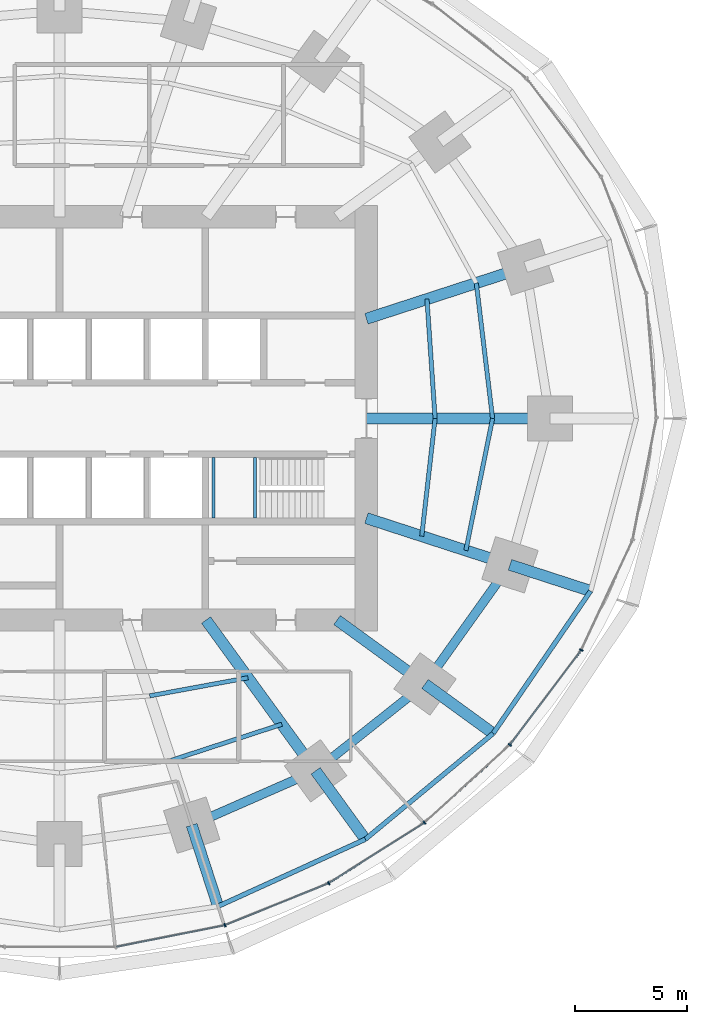
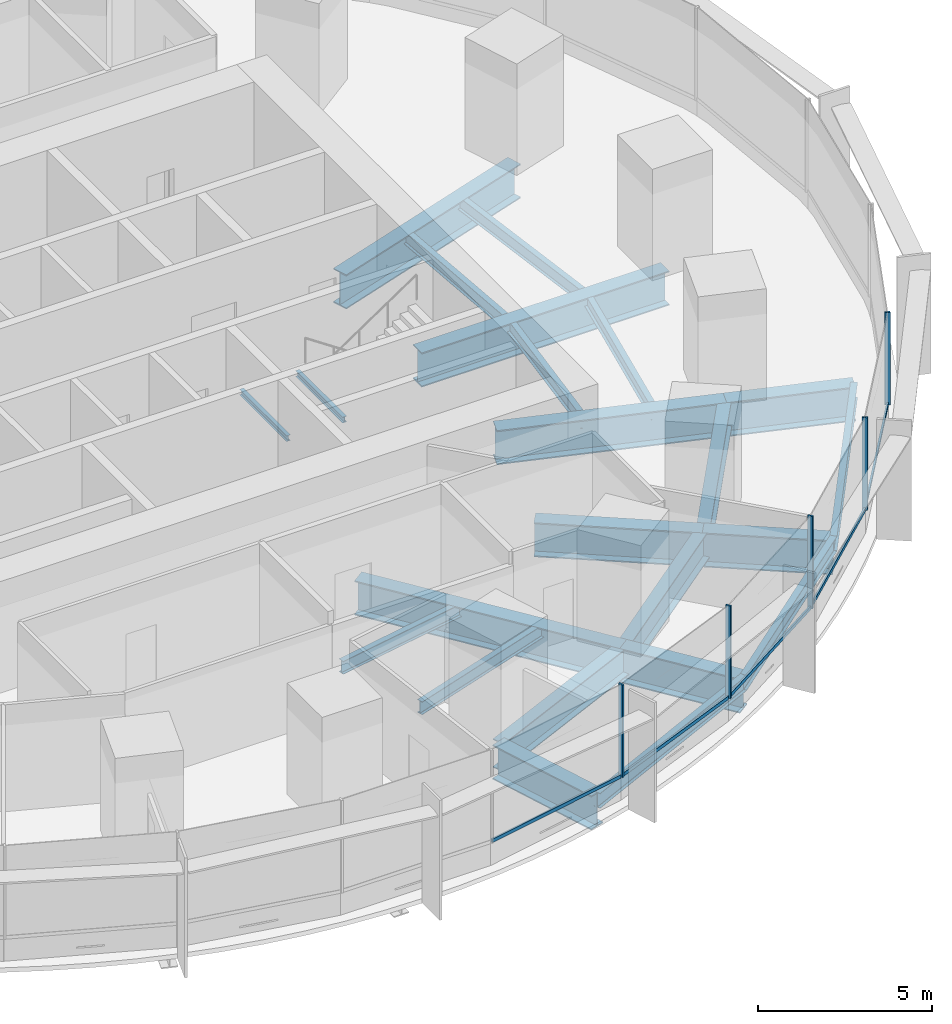
# One storey, part 5 of 15: 23 beams, 10 members, 2 elements without a shape of their own.
"""IFC4 building model written with IfcOpenShell, lengths in metres."""

import ifcopenshell
import ifcopenshell.guid

model = None  # the IFC model being written
_history = None  # IfcOwnerHistory: only IFC2X3 demands one
_inside = {}  # id of a spatial element -> (the spatial element, [elements in it])
_under = {}  # id of a project, library or spatial element -> (it, [spatial elements below it])
_declared = {}  # id of a project -> (the project, [libraries it declares])
_typed = {}  # id of a type object -> (the type object, [elements of that type])
_made_of = {}  # id of a material, layer set ... -> (it, [elements and type objects made of it])


def new_model(schema):
    """Start an empty IFC model of exactly this schema.

    Asked for "IFC4X3", IfcOpenShell would pick the latest addendum, in which some entities
    have other attributes; the version numbers below select the first issue.
    IFC2X3 requires an IfcOwnerHistory on every rooted entity: one is made here for all.
    """
    global model, _history
    if schema == "IFC4X3":
        model = ifcopenshell.file(schema_version=(4, 3, 0, 0))
    else:
        model = ifcopenshell.file(schema=schema)
    _inside.clear()
    _under.clear()
    _declared.clear()
    _typed.clear()
    _made_of.clear()
    _history = None
    if model.schema == "IFC2X3":
        org = make("IfcOrganization", Name="unknown")
        user = make(
            "IfcPersonAndOrganization",
            ThePerson=make("IfcPerson", FamilyName="unknown"),
            TheOrganization=org,
        )
        app = make(
            "IfcApplication",
            ApplicationDeveloper=org,
            Version="unknown",
            ApplicationFullName="unknown",
            ApplicationIdentifier="unknown",
        )
        _history = make(
            "IfcOwnerHistory",
            OwningUser=user,
            OwningApplication=app,
            ChangeAction="ADDED",
            CreationDate=0,
        )
    return model


def make(cls, **values):
    """One entity of the class cls with the attributes given. An attribute that is None is left unset."""
    return model.create_entity(
        cls, **{name: value for name, value in values.items() if value is not None}
    )


def rooted(cls, **values):
    """An entity with a GlobalId (a new one), such as an element, a storey or a relation."""
    return make(cls, GlobalId=ifcopenshell.guid.new(), OwnerHistory=_history, **values)


def si_unit(unit_type, name, prefix=None):
    """IfcSIUnit, for example si_unit("LENGTHUNIT", "METRE", prefix="MILLI")."""
    return make("IfcSIUnit", UnitType=unit_type, Prefix=prefix, Name=name)


def assignment(units):
    """IfcUnitAssignment: the units of a project."""
    return None if units is None else make("IfcUnitAssignment", Units=units)


def point(xyz):
    """IfcCartesianPoint."""
    return None if xyz is None else make("IfcCartesianPoint", Coordinates=xyz)


def direction(xyz):
    """IfcDirection."""
    return None if xyz is None else make("IfcDirection", DirectionRatios=xyz)


def frame(location, z_axis=None, x_axis=None):
    """IfcAxis2Placement3D, a coordinate frame: its origin and axes. An axis left out is left unset."""
    return make(
        "IfcAxis2Placement3D",
        Location=point(location),
        Axis=direction(z_axis),
        RefDirection=direction(x_axis),
    )


def frame_2d(location, x_axis=None):
    """IfcAxis2Placement2D, a coordinate frame in the plane: its origin and x axis."""
    return make(
        "IfcAxis2Placement2D", Location=point(location), RefDirection=direction(x_axis)
    )


def origin():
    """The frame at (0, 0, 0) with its axes left unset."""
    return frame((0.0, 0.0, 0.0))


def origin_2d():
    """The frame at (0, 0) in the plane with its x axis left unset."""
    return frame_2d((0.0, 0.0))


def place(relative_to, where):
    """IfcLocalPlacement: puts the frame where relative to a parent placement (None: the world)."""
    return make(
        "IfcLocalPlacement", PlacementRelTo=relative_to, RelativePlacement=where
    )


def context(
    kind, dimensions, precision=None, world=None, true_north=None, identifier=None
):
    """IfcGeometricRepresentationContext, for example the 3D "Model" context."""
    return make(
        "IfcGeometricRepresentationContext",
        ContextIdentifier=identifier,
        ContextType=kind,
        CoordinateSpaceDimension=dimensions,
        Precision=precision,
        WorldCoordinateSystem=world,
        TrueNorth=true_north,
    )


def subcontext(parent, identifier, kind, view, scale=None):
    """IfcGeometricRepresentationSubContext, for example "Body" below "Model"."""
    return make(
        "IfcGeometricRepresentationSubContext",
        ContextIdentifier=identifier,
        ContextType=kind,
        ParentContext=parent,
        TargetScale=scale,
        TargetView=view,
    )


def project(units=None, contexts=None):
    """IfcProject with its units and contexts."""
    return rooted(
        "IfcProject",
        Name="project",
        RepresentationContexts=contexts,
        UnitsInContext=assignment(units),
    )


def spatial(cls, under=None, at=None, **own):
    """A site, building, storey or space (cls), placed at a placement, below another one or the project."""
    s = rooted(cls, ObjectPlacement=at, **own)
    if under is not None:
        _under.setdefault(under.id(), (under, []))[1].append(s)
    return s


def profile(cls, at=None, kind="AREA", **sizes):
    """A parametric profile (cls). Its sizes go by their IFC names, for example OverallWidth=200.0."""
    return make(cls, ProfileType=kind, Position=at, **sizes)


def rectangle(**sizes):
    """IfcRectangleProfileDef."""
    return profile("IfcRectangleProfileDef", **sizes)


def i_section(**sizes):
    """IfcIShapeProfileDef."""
    return profile("IfcIShapeProfileDef", **sizes)


def extrude(swept, where, along, depth):
    """IfcExtrudedAreaSolid: the profile swept, set in the frame where, extruded along a direction by depth."""
    return make(
        "IfcExtrudedAreaSolid",
        SweptArea=swept,
        Position=where,
        ExtrudedDirection=direction(along),
        Depth=depth,
    )


def shape(context_of_items, identifier, shape_type, items):
    """IfcShapeRepresentation: the items that make up one representation, for example the "Body"."""
    return make(
        "IfcShapeRepresentation",
        ContextOfItems=context_of_items,
        RepresentationIdentifier=identifier,
        RepresentationType=shape_type,
        Items=items,
    )


def material(Name=None, Category=None):
    """IfcMaterial."""
    return make("IfcMaterial", Name=Name, Category=Category)


def material_profile(
    of_material, cross_section, Name=None, Category=None, Priority=None
):
    """IfcMaterialProfile: a cross section and its material."""
    return make(
        "IfcMaterialProfile",
        Name=Name,
        Material=of_material,
        Profile=cross_section,
        Priority=Priority,
        Category=Category,
    )


def profile_set(profiles, Name=None, composite=None):
    """IfcMaterialProfileSet."""
    return make(
        "IfcMaterialProfileSet",
        Name=Name,
        MaterialProfiles=profiles,
        CompositeProfile=composite,
    )


def made_of(thing, what):
    """Note that an element or type object is made of a material, layer set ...; save() writes the relation."""
    if what is not None:
        _made_of.setdefault(what.id(), (what, []))[1].append(thing)
    return thing


def type_object(cls, material=None, **own):
    """A type object (cls), such as IfcWallType, which elements share."""
    return made_of(rooted(cls, **own), material)


def element(
    cls,
    number,
    at=None,
    inside=None,
    cuts=None,
    type_object=None,
    material=None,
    context=None,
    identifier="Body",
    shape_type=None,
    held_by="IfcProductDefinitionShape",
    body=None,
    shapes=None,
    **own,
):
    """One element of the class cls, such as IfcWall. Its Tag is "e" and its number.

    at: its placement. inside: the storey or other place that contains it. cuts: it is an
    opening in that element (IfcRelVoidsElement). A single representation is given by context,
    identifier, shape_type and body (its items); several are given by shapes. held_by: the class
    of the entity that holds the representations. save() writes the other relations.
    """
    e = rooted(cls, Tag="e%d" % number, ObjectPlacement=at, **own)
    if body is not None:
        shapes = [shape(context, identifier, shape_type, body)]
    if shapes is not None:
        e.Representation = make(held_by, Representations=shapes)
    if inside is not None:
        _inside.setdefault(inside.id(), (inside, []))[1].append(e)
    if cuts is not None:
        rooted(
            "IfcRelVoidsElement", RelatingBuildingElement=cuts, RelatedOpeningElement=e
        )
    if type_object is not None:
        _typed.setdefault(type_object.id(), (type_object, []))[1].append(e)
    return made_of(e, material)


def aggregate(whole, parts):
    """IfcRelAggregates: a whole, such as a stair, and the parts it consists of."""
    return rooted("IfcRelAggregates", RelatingObject=whole, RelatedObjects=parts)


def save(model, path):
    """Write the relations noted so far, then the file.

    IfcRelAggregates (storeys below a building ...), IfcRelContainedInSpatialStructure (elements
    in a storey), IfcRelDefinesByType, IfcRelAssociatesMaterial and IfcRelDeclares: one each for
    every whole, place, type object, material and project.
    """
    for whole, parts in _under.values():
        aggregate(whole, parts)
    for where, things in _inside.values():
        rooted(
            "IfcRelContainedInSpatialStructure",
            RelatedElements=things,
            RelatingStructure=where,
        )
    for kind, things in _typed.values():
        rooted("IfcRelDefinesByType", RelatedObjects=things, RelatingType=kind)
    for what, things in _made_of.values():
        rooted("IfcRelAssociatesMaterial", RelatedObjects=things, RelatingMaterial=what)
    for by, libraries in _declared.values():
        rooted("IfcRelDeclares", RelatingContext=by, RelatedDefinitions=libraries)
    model.write(path)


model = new_model("IFC4")

# Units and contexts
model_context = context("Model", 3, precision=1e-05, world=origin(), true_north=direction((0.0, 1.0)))
body_context = subcontext(model_context, "Body", "Model", "MODEL_VIEW")
ifc_project = project(units=[si_unit("LENGTHUNIT", "METRE"), si_unit("AREAUNIT", "SQUARE_METRE"), si_unit("VOLUMEUNIT", "CUBIC_METRE"), si_unit("PLANEANGLEUNIT", "RADIAN"), si_unit("MASSUNIT", "GRAM", prefix="KILO")], contexts=[model_context])

# Site, building, storey
site_placement = place(None, origin())
site = spatial("IfcSite", under=ifc_project, at=site_placement, CompositionType="ELEMENT")
building_placement = place(site_placement, origin())
building = spatial("IfcBuilding", under=site, at=building_placement, Name="Marramba Exchange Tower", CompositionType="ELEMENT")
storey_placement = place(building_placement, frame((0.0, 0.0, 61.60009765625)))
storey = spatial("IfcBuildingStorey", under=building, at=storey_placement, Name="L14", CompositionType="ELEMENT", Elevation=61.60009765625)

# Beams
ifc_material_1 = material(Name="Steel AS/NZS 3679.2 grade 300", Category="steel")
ifc_material_profile_1 = material_profile(ifc_material_1, i_section(OverallWidth=0.5, OverallDepth=1.199951171875, WebThickness=0.01611328125, FlangeThickness=0.0400390625, at=origin_2d()), Name="1200WB455")
ifc_profile_set_1 = profile_set([ifc_material_profile_1], Name="Steel AS/NZS 3679.2 grade 300")
beam_type_1 = type_object("IfcBeamType", Name="Cantilever girder 1200WB455", PredefinedType="BEAM", material=ifc_profile_set_1)
beam_1_placement = place(storey_placement, frame((5.899658203125, -18.156982421875, -0.760009765625), z_axis=(0.309009272901, -0.951059025119, 0.0), x_axis=(0.951059025119, 0.309009272901, 0.0)))
element("IfcBeam", 1, at=beam_1_placement, inside=storey, type_object=beam_type_1, Name="Cantilever girder L14 TC17", PredefinedType="BEAM", context=body_context, shape_type="SweptSolid", body=[
    extrude(i_section(OverallWidth=0.5, OverallDepth=1.199951171875, WebThickness=0.01611328125, FlangeThickness=0.0400390625, at=origin_2d()), origin(), (0.0, 0.0, 1.0), 3.809814453125),
])
beam_2_placement = place(storey_placement, frame((11.430419921875, -15.732666015625, -0.760009765625), z_axis=(0.587787232741, -0.809015555491, 0.0), x_axis=(0.809015555491, 0.587787232741, 0.0)))
element("IfcBeam", 2, at=beam_2_placement, inside=storey, type_object=beam_type_1, Name="Cantilever girder L14 TC18", PredefinedType="BEAM", context=body_context, shape_type="SweptSolid", body=[
    extrude(i_section(OverallWidth=0.5, OverallDepth=1.199951171875, WebThickness=0.01611328125, FlangeThickness=0.0400390625, at=origin_2d()), origin(), (0.0, 0.0, 1.0), 3.7763671875),
])
beam_3_placement = place(storey_placement, frame((16.3154296875, -11.853759765625, -0.760009765625), z_axis=(0.809008346081, -0.587797155463, 0.0), x_axis=(0.587797155463, 0.809008346081, 0.0)))
element("IfcBeam", 3, at=beam_3_placement, inside=storey, type_object=beam_type_1, Name="Cantilever girder L14 TC19", PredefinedType="BEAM", context=body_context, shape_type="SweptSolid", body=[
    extrude(i_section(OverallWidth=0.5, OverallDepth=1.199951171875, WebThickness=0.01611328125, FlangeThickness=0.0400390625, at=origin_2d()), origin(), (0.0, 0.0, 1.0), 3.76025390625),
])
beam_4_placement = place(storey_placement, frame((20.109375, -6.533935546875, -0.760009765625), z_axis=(0.951048759501, -0.309040866314, 0.0), x_axis=(0.309040866314, 0.951048759501, 0.0)))
element("IfcBeam", 4, at=beam_4_placement, inside=storey, type_object=beam_type_1, Name="Cantilever girder L14 TC20", PredefinedType="BEAM", context=body_context, shape_type="SweptSolid", body=[
    extrude(i_section(OverallWidth=0.5, OverallDepth=1.199951171875, WebThickness=0.01611328125, FlangeThickness=0.0400390625, at=origin_2d()), origin(), (0.0, 0.0, 1.0), 3.78564453125),
])
ifc_material_2 = material(Name="Steel AS/NZS 3679.1 grade 300", Category="steel")
ifc_material_profile_2 = material_profile(ifc_material_2, i_section(OverallWidth=0.18994140625, OverallDepth=0.4541015625, WebThickness=0.008544921875, FlangeThickness=0.0126953125, FilletRadius=0.011474609375, at=origin_2d()), Name="460UB67.1")
ifc_profile_set_2 = profile_set([ifc_material_profile_2], Name="Steel AS/NZS 3679.1 grade 300")
beam_type_2 = type_object("IfcBeamType", Name="Floor joist 460UB67.1", PredefinedType="JOIST", material=ifc_profile_set_2)
beam_5_placement = place(storey_placement, frame((16.7666015625, 0.0, -0.38720703125), z_axis=(-0.068096259546, 0.99767875563, 0.0), x_axis=(-0.99767875563, -0.068096259546, 0.0)))
element("IfcBeam", 5, at=beam_5_placement, inside=storey, type_object=beam_type_2, Name="Joist L14 bay 01 row 1", PredefinedType="JOIST", context=body_context, shape_type="SweptSolid", body=[
    extrude(i_section(OverallWidth=0.18994140625, OverallDepth=0.4541015625, WebThickness=0.008544921875, FlangeThickness=0.0126953125, FilletRadius=0.011474609375, at=origin_2d()), origin(), (0.0, 0.0, 1.0), 5.342041015625),
])
beam_6_placement = place(storey_placement, frame((19.333251953125, 0.0, -0.38720703125), z_axis=(-0.119523078538, 0.992831422597, 0.0), x_axis=(-0.992831422597, -0.119523078538, 0.0)))
element("IfcBeam", 6, at=beam_6_placement, inside=storey, type_object=beam_type_2, Name="Joist L14 bay 01 row 2", PredefinedType="JOIST", context=body_context, shape_type="SweptSolid", body=[
    extrude(i_section(OverallWidth=0.18994140625, OverallDepth=0.4541015625, WebThickness=0.008544921875, FlangeThickness=0.0126953125, FilletRadius=0.011474609375, at=origin_2d()), origin(), (0.0, 0.0, 1.0), 6.089111328125),
])
beam_7_placement = place(storey_placement, frame((4.0244140625, -12.3857421875, -0.38720703125), z_axis=(0.983455754421, 0.181148500119, 0.0), x_axis=(-0.181148500119, 0.983455754421, 0.0)))
element("IfcBeam", 7, at=beam_7_placement, inside=storey, type_object=beam_type_2, Name="Joist L14 bay 17 row 1", PredefinedType="JOIST", context=body_context, shape_type="SweptSolid", body=[
    extrude(i_section(OverallWidth=0.18994140625, OverallDepth=0.4541015625, WebThickness=0.008544921875, FlangeThickness=0.0126953125, FilletRadius=0.011474609375, at=origin_2d()), origin(), (0.0, 0.0, 1.0), 4.4609375),
])
beam_8_placement = place(storey_placement, frame((4.9619140625, -15.271484375, -0.38720703125), z_axis=(0.950764024931, 0.309915744834, 0.0), x_axis=(-0.309915744834, 0.950764024931, 0.0)))
element("IfcBeam", 8, at=beam_8_placement, inside=storey, type_object=beam_type_2, Name="Joist L14 bay 17 row 2", PredefinedType="JOIST", context=body_context, shape_type="SweptSolid", body=[
    extrude(i_section(OverallWidth=0.18994140625, OverallDepth=0.4541015625, WebThickness=0.008544921875, FlangeThickness=0.0126953125, FilletRadius=0.011474609375, at=origin_2d()), origin(), (0.0, 0.0, 1.0), 5.2158203125),
])
beam_9_placement = place(storey_placement, frame((16.169677734375, -5.25390625, -0.38720703125), z_axis=(0.112888968594, 0.993607609054, 0.0), x_axis=(-0.993607609054, 0.112888968594, 0.0)))
element("IfcBeam", 9, at=beam_9_placement, inside=storey, type_object=beam_type_2, Name="Joist L14 bay 20 row 1", PredefinedType="JOIST", context=body_context, shape_type="SweptSolid", body=[
    extrude(i_section(OverallWidth=0.18994140625, OverallDepth=0.4541015625, WebThickness=0.008544921875, FlangeThickness=0.0126953125, FilletRadius=0.011474609375, at=origin_2d()), origin(), (0.0, 0.0, 1.0), 5.28759765625),
])
beam_10_placement = place(storey_placement, frame((18.1396484375, -5.893798828125, -0.38720703125), z_axis=(0.198489047047, 0.980103105904, 0.0), x_axis=(-0.980103105904, 0.198489047047, 0.0)))
element("IfcBeam", 10, at=beam_10_placement, inside=storey, type_object=beam_type_2, Name="Joist L14 bay 20 row 2", PredefinedType="JOIST", context=body_context, shape_type="SweptSolid", body=[
    extrude(i_section(OverallWidth=0.18994140625, OverallDepth=0.4541015625, WebThickness=0.008544921875, FlangeThickness=0.0126953125, FilletRadius=0.011474609375, at=origin_2d()), origin(), (0.0, 0.0, 1.0), 6.013427734375),
])
ifc_material_profile_3 = material_profile(ifc_material_1, i_section(OverallWidth=0.5, OverallDepth=1.199951171875, WebThickness=0.01611328125, FlangeThickness=0.0400390625, at=origin_2d()), Name="1200WB455")
ifc_profile_set_3 = profile_set([ifc_material_profile_3], Name="Steel AS/NZS 3679.2 grade 300")
beam_type_3 = type_object("IfcBeamType", Name="Radial girder 1200WB455", PredefinedType="BEAM", material=ifc_profile_set_3)
beam_11_placement = place(storey_placement, frame((13.699951171875, 0.0, -0.760009765625), z_axis=(1.0, 0.0, 0.0), x_axis=(0.0, 1.0, 0.0)))
element("IfcBeam", 11, at=beam_11_placement, inside=storey, type_object=beam_type_3, Name="Radial girder L14 TC01", PredefinedType="BEAM", context=body_context, shape_type="SweptSolid", body=[
    extrude(i_section(OverallWidth=0.5, OverallDepth=1.199951171875, WebThickness=0.01611328125, FlangeThickness=0.0400390625, at=origin_2d()), origin(), (0.0, 0.0, 1.0), 8.199951171875),
])
beam_12_placement = place(storey_placement, frame((13.699951171875, 4.451416015625, -0.760009765625), z_axis=(0.951059990189, 0.309006302624, 0.0), x_axis=(-0.309006302624, 0.951059990189, 0.0)))
element("IfcBeam", 12, at=beam_12_placement, inside=storey, type_object=beam_type_3, Name="Radial girder L14 TC02", PredefinedType="BEAM", context=body_context, shape_type="SweptSolid", body=[
    extrude(i_section(OverallWidth=0.5, OverallDepth=1.199951171875, WebThickness=0.01611328125, FlangeThickness=0.0400390625, at=origin_2d()), origin(), (0.0, 0.0, 1.0), 7.47412109375),
])
beam_13_placement = place(storey_placement, frame((6.538818359375, -9.0, -0.760009765625), z_axis=(0.587787877172, -0.809015087282, 0.0), x_axis=(0.809015087282, 0.587787877172, 0.0)))
element("IfcBeam", 13, at=beam_13_placement, inside=storey, type_object=beam_type_3, Name="Radial girder L14 TC18", PredefinedType="BEAM", context=body_context, shape_type="SweptSolid", body=[
    extrude(i_section(OverallWidth=0.5, OverallDepth=1.199951171875, WebThickness=0.01611328125, FlangeThickness=0.0400390625, at=origin_2d()), origin(), (0.0, 0.0, 1.0), 8.322021484375),
])
beam_14_placement = place(storey_placement, frame((12.387451171875, -9.0, -0.760009765625), z_axis=(0.809025189606, -0.58777397236, 0.0), x_axis=(0.58777397236, 0.809025189606, 0.0)))
element("IfcBeam", 14, at=beam_14_placement, inside=storey, type_object=beam_type_3, Name="Radial girder L14 TC19", PredefinedType="BEAM", context=body_context, shape_type="SweptSolid", body=[
    extrude(i_section(OverallWidth=0.5, OverallDepth=1.199951171875, WebThickness=0.01611328125, FlangeThickness=0.0400390625, at=origin_2d()), origin(), (0.0, 0.0, 1.0), 4.855224609375),
])
beam_15_placement = place(storey_placement, frame((13.699951171875, -4.451416015625, -0.760009765625), z_axis=(0.951057759669, -0.309013167637, 0.0), x_axis=(0.309013167637, 0.951057759669, 0.0)))
element("IfcBeam", 15, at=beam_15_placement, inside=storey, type_object=beam_type_3, Name="Radial girder L14 TC20", PredefinedType="BEAM", context=body_context, shape_type="SweptSolid", body=[
    extrude(i_section(OverallWidth=0.5, OverallDepth=1.199951171875, WebThickness=0.01611328125, FlangeThickness=0.0400390625, at=origin_2d()), origin(), (0.0, 0.0, 1.0), 6.7392578125),
])
ifc_material_profile_4 = material_profile(ifc_material_1, i_section(OverallWidth=0.39990234375, OverallDepth=1.0, WebThickness=0.01611328125, FlangeThickness=0.031982421875, at=origin_2d()), Name="1000WB322")
ifc_profile_set_4 = profile_set([ifc_material_profile_4], Name="Steel AS/NZS 3679.2 grade 300")
beam_type_4 = type_object("IfcBeamType", Name="Ring beam 1000WB322", PredefinedType="SPANDREL", material=ifc_profile_set_4)
beam_16_placement = place(storey_placement, frame((5.899658203125, -18.156982421875, -0.66015625), z_axis=(0.915876892158, 0.4014592363, 0.0), x_axis=(-0.4014592363, 0.915876892158, 0.0)))
element("IfcBeam", 16, at=beam_16_placement, inside=storey, type_object=beam_type_4, Name="Ring beam L14 TC17-TC18", PredefinedType="SPANDREL", context=body_context, shape_type="SweptSolid", body=[
    extrude(i_section(OverallWidth=0.39990234375, OverallDepth=1.0, WebThickness=0.01611328125, FlangeThickness=0.031982421875, at=origin_2d()), origin(), (0.0, 0.0, 1.0), 6.038818359375),
])
beam_17_placement = place(storey_placement, frame((11.430419921875, -15.732666015625, -0.66015625), z_axis=(0.783139438128, 0.621846138887, 0.0), x_axis=(-0.621846138887, 0.783139438128, 0.0)))
element("IfcBeam", 17, at=beam_17_placement, inside=storey, type_object=beam_type_4, Name="Ring beam L14 TC18-TC19", PredefinedType="SPANDREL", context=body_context, shape_type="SweptSolid", body=[
    extrude(i_section(OverallWidth=0.39990234375, OverallDepth=1.0, WebThickness=0.01611328125, FlangeThickness=0.031982421875, at=origin_2d()), origin(), (0.0, 0.0, 1.0), 6.23779296875),
])
beam_18_placement = place(storey_placement, frame((16.3154296875, -11.853759765625, -0.66015625), z_axis=(0.580637181111, 0.814162430914, 0.0), x_axis=(-0.814162430914, 0.580637181111, 0.0)))
element("IfcBeam", 18, at=beam_18_placement, inside=storey, type_object=beam_type_4, Name="Ring beam L14 TC19-TC20", PredefinedType="SPANDREL", context=body_context, shape_type="SweptSolid", body=[
    extrude(i_section(OverallWidth=0.39990234375, OverallDepth=1.0, WebThickness=0.01611328125, FlangeThickness=0.031982421875, at=origin_2d()), origin(), (0.0, 0.0, 1.0), 6.5341796875),
])
ifc_material_profile_5 = material_profile(ifc_material_2, i_section(OverallWidth=0.208984375, OverallDepth=0.528076171875, WebThickness=0.009521484375, FlangeThickness=0.01318359375, FilletRadius=0.013916015625, at=origin_2d()), Name="530UB82.0")
ifc_profile_set_5 = profile_set([ifc_material_profile_5], Name="Steel AS/NZS 3679.1 grade 300")
beam_type_5 = type_object("IfcBeamType", Name="Slab edge beam 530UB82.0", PredefinedType="SPANDREL", material=ifc_profile_set_5)
beam_19_placement = place(storey_placement, frame((7.076904296875, -21.7802734375, -0.424072265625), z_axis=(0.910126690081, 0.414330071324, 0.0), x_axis=(-0.414330071324, 0.910126690081, 0.0)))
element("IfcBeam", 19, at=beam_19_placement, inside=storey, type_object=beam_type_5, Name="Slab edge beam L14 TC17-TC18", PredefinedType="SPANDREL", context=body_context, shape_type="SweptSolid", body=[
    extrude(i_section(OverallWidth=0.208984375, OverallDepth=0.528076171875, WebThickness=0.009521484375, FlangeThickness=0.01318359375, FilletRadius=0.013916015625, at=origin_2d()), origin(), (0.0, 0.0, 1.0), 7.222412109375),
])
beam_20_placement = place(storey_placement, frame((13.650146484375, -18.787841796875, -0.424072265625), z_axis=(0.770353575372, 0.637616945283, 0.0), x_axis=(-0.637616945283, 0.770353575372, 0.0)))
element("IfcBeam", 20, at=beam_20_placement, inside=storey, type_object=beam_type_5, Name="Slab edge beam L14 TC18-TC19", PredefinedType="SPANDREL", context=body_context, shape_type="SweptSolid", body=[
    extrude(i_section(OverallWidth=0.208984375, OverallDepth=0.528076171875, WebThickness=0.009521484375, FlangeThickness=0.01318359375, FilletRadius=0.013916015625, at=origin_2d()), origin(), (0.0, 0.0, 1.0), 7.40869140625),
])
beam_21_placement = place(storey_placement, frame((19.357421875, -14.06396484375, -0.424072265625), z_axis=(0.564740697285, 0.82526840775, 0.0), x_axis=(-0.82526840775, 0.564740697285, 0.0)))
element("IfcBeam", 21, at=beam_21_placement, inside=storey, type_object=beam_type_5, Name="Slab edge beam L14 TC19-TC20", PredefinedType="SPANDREL", context=body_context, shape_type="SweptSolid", body=[
    extrude(i_section(OverallWidth=0.208984375, OverallDepth=0.528076171875, WebThickness=0.009521484375, FlangeThickness=0.01318359375, FilletRadius=0.013916015625, at=origin_2d()), origin(), (0.0, 0.0, 1.0), 7.706787109375),
])
ifc_material_profile_6 = material_profile(ifc_material_2, i_section(OverallWidth=0.133056640625, OverallDepth=0.202880859375, WebThickness=0.005859375, FlangeThickness=0.0078125, FilletRadius=0.0087890625, at=origin_2d()), Name="200UB25.4")
ifc_profile_set_6 = profile_set([ifc_material_profile_6], Name="Steel AS/NZS 3679.1 grade 300")
beam_type_6 = type_object("IfcBeamType", Name="Stair landing beam 200UB25.4", PredefinedType="BEAM", material=ifc_profile_set_6)
for number, where, z_axis, x_axis, name in (
    (22, (6.866455078125, -4.449951171875, 1.79833984375), (0.0, 1.0, 0.0), (-1.0, 0.0, 0.0), "Stair landing beam SLB1 ST2 L14 1"),
    (23, (8.723388671875, -4.449951171875, 1.79833984375), (0.0, 1.0, 0.0), (-1.0, 0.0, 0.0), "Stair landing beam SLB1 ST2 L14 2"),
):
    element("IfcBeam", number, at=place(storey_placement, frame(where, z_axis=z_axis, x_axis=x_axis)), inside=storey, type_object=beam_type_6, Name=name, PredefinedType="BEAM", context=body_context, shape_type="SweptSolid", body=[
        extrude(i_section(OverallWidth=0.133056640625, OverallDepth=0.202880859375, WebThickness=0.005859375, FlangeThickness=0.0078125, FilletRadius=0.0087890625, at=origin_2d()), origin(), (0.0, 0.0, 1.0), 2.699951171875),
    ])

# Curtain wall, member
ifc_material_3 = material(Name="Aluminium framing, bronze anodised", Category="aluminium")
curtain_wall_type = type_object("IfcCurtainWallType", Name="Trading floor ribbon curtain wall", PredefinedType="USERDEFINED", material=ifc_material_3)
curtain_wall_1_placement = place(storey_placement, origin())
curtain_wall_1 = element("IfcCurtainWall", 24, at=curtain_wall_1_placement, inside=storey, type_object=curtain_wall_type, Name="Curtain wall CW3 L14 F21-F25", ObjectType="RIBBON CURTAIN WALL", PredefinedType="USERDEFINED")
ifc_material_4 = material(Name="Aluminium mullion, bronze anodised", Category="aluminium")
ifc_material_profile_7 = material_profile(ifc_material_4, rectangle(XDim=0.159912109375, YDim=0.06005859375, at=origin_2d()), Name="CW3 mullion 60x160")
ifc_profile_set_7 = profile_set([ifc_material_profile_7], Name="Aluminium mullion, bronze anodised")
member_type_1 = type_object("IfcMemberType", Name="Trading floor ribbon curtain wall mullion", PredefinedType="MULLION", material=ifc_profile_set_7)
member_1_placement = place(storey_placement, frame((7.3828125, -22.625, 0.7998046875), z_axis=(0.0, 0.0, 1.0), x_axis=(-0.374218219325, 0.927340673283, 0.0)))
member_1 = element("IfcMember", 25, at=member_1_placement, type_object=member_type_1, Name="CW3 mullion 1", PredefinedType="MULLION", context=body_context, shape_type="SweptSolid", body=[
    extrude(rectangle(XDim=0.159912109375, YDim=0.06005859375, at=origin_2d()), origin(), (0.0, 0.0, 1.0), 3.239990234375),
])

# Curtain wall, members
curtain_wall_2_placement = place(storey_placement, origin())
curtain_wall_2 = element("IfcCurtainWall", 26, at=curtain_wall_2_placement, inside=storey, type_object=curtain_wall_type, Name="Curtain wall CW3 L14 F26-F30", ObjectType="RIBBON CURTAIN WALL", PredefinedType="USERDEFINED")
member_2_placement = place(storey_placement, frame((12.0146484375, -20.75, 0.7998046875), z_axis=(0.0, 0.0, 1.0), x_axis=(-0.533514646612, 0.845790826298, 0.0)))
member_2 = element("IfcMember", 27, at=member_2_placement, type_object=member_type_1, Name="CW3 mullion 1", PredefinedType="MULLION", context=body_context, shape_type="SweptSolid", body=[
    extrude(rectangle(XDim=0.159912109375, YDim=0.06005859375, at=origin_2d()), origin(), (0.0, 0.0, 1.0), 3.239990234375),
])
member_3_placement = place(storey_placement, frame((16.2900390625, -18.047119140625, 0.7998046875), z_axis=(0.0, 0.0, 1.0), x_axis=(-0.673058133441, 0.739589581463, 0.0)))
member_3 = element("IfcMember", 28, at=member_3_placement, type_object=member_type_1, Name="CW3 mullion 1", PredefinedType="MULLION", context=body_context, shape_type="SweptSolid", body=[
    extrude(rectangle(XDim=0.159912109375, YDim=0.06005859375, at=origin_2d()), origin(), (0.0, 0.0, 1.0), 3.239990234375),
])
member_4_placement = place(storey_placement, frame((20.103515625, -14.569091796875, 0.7998046875), z_axis=(0.0, 0.0, 1.0), x_axis=(-0.797710591138, 0.603040473588, 0.0)))
member_4 = element("IfcMember", 29, at=member_4_placement, type_object=member_type_1, Name="CW3 mullion 1", PredefinedType="MULLION", context=body_context, shape_type="SweptSolid", body=[
    extrude(rectangle(XDim=0.159912109375, YDim=0.06005859375, at=origin_2d()), origin(), (0.0, 0.0, 1.0), 3.239990234375),
])
member_5_placement = place(storey_placement, frame((23.2939453125, -10.33837890625, 0.7998046875), z_axis=(0.0, 0.0, 1.0), x_axis=(-0.905906758768, 0.423477206492, 0.0)))
member_5 = element("IfcMember", 30, at=member_5_placement, type_object=member_type_1, Name="CW3 mullion 1", PredefinedType="MULLION", context=body_context, shape_type="SweptSolid", body=[
    extrude(rectangle(XDim=0.159912109375, YDim=0.06005859375, at=origin_2d()), origin(), (0.0, 0.0, 1.0), 3.239990234375),
])

# Member
ifc_material_5 = material(Name="Aluminium transom, bronze anodised", Category="aluminium")
ifc_material_profile_8 = material_profile(ifc_material_5, rectangle(XDim=0.06005859375, YDim=0.1201171875, at=origin_2d()), Name="CW3 transom 60x120")
ifc_profile_set_8 = profile_set([ifc_material_profile_8], Name="Aluminium transom, bronze anodised")
member_type_2 = type_object("IfcMemberType", Name="Trading floor ribbon curtain wall transom", PredefinedType="USERDEFINED", material=ifc_profile_set_8)
member_6_placement = place(storey_placement, frame((2.539306640625, -23.58837890625, 0.829833984375), z_axis=(0.981008707181, 0.193963698758, 0.0), x_axis=(-0.193963698758, 0.981008707181, 0.0)))
member_6 = element("IfcMember", 31, at=member_6_placement, type_object=member_type_2, Name="CW3 sill transom", ObjectType="TRANSOM", PredefinedType="USERDEFINED", context=body_context, shape_type="SweptSolid", body=[
    extrude(rectangle(XDim=0.06005859375, YDim=0.1201171875, at=origin_2d()), origin(), (0.0, 0.0, 1.0), 4.908935546875),
])

member_7_placement = place(storey_placement, frame((7.41064453125, -22.61376953125, 0.829833984375), z_axis=(0.927340197166, 0.374219399176, 0.0), x_axis=(-0.374219399176, 0.927340197166, 0.0)))
member_7 = element("IfcMember", 32, at=member_7_placement, type_object=member_type_2, Name="CW3 sill transom", ObjectType="TRANSOM", PredefinedType="USERDEFINED", context=body_context, shape_type="SweptSolid", body=[
    extrude(rectangle(XDim=0.06005859375, YDim=0.1201171875, at=origin_2d()), origin(), (0.0, 0.0, 1.0), 4.937255859375),
])

aggregate(curtain_wall_1, [member_6, member_1, member_7])

member_8_placement = place(storey_placement, frame((12.0400390625, -20.734130859375, 0.829833984375), z_axis=(0.845776602594, 0.533537195053, 0.0), x_axis=(-0.533537195053, 0.845776602594, 0.0)))
member_8 = element("IfcMember", 33, at=member_8_placement, type_object=member_type_2, Name="CW3 sill transom", ObjectType="TRANSOM", PredefinedType="USERDEFINED", context=body_context, shape_type="SweptSolid", body=[
    extrude(rectangle(XDim=0.06005859375, YDim=0.1201171875, at=origin_2d()), origin(), (0.0, 0.0, 1.0), 4.998779296875),
])

member_9_placement = place(storey_placement, frame((16.312255859375, -18.02685546875, 0.829833984375), z_axis=(0.739582688456, 0.673065707741, 0.0), x_axis=(-0.673065707741, 0.739582688456, 0.0)))
member_9 = element("IfcMember", 34, at=member_9_placement, type_object=member_type_2, Name="CW3 sill transom", ObjectType="TRANSOM", PredefinedType="USERDEFINED", context=body_context, shape_type="SweptSolid", body=[
    extrude(rectangle(XDim=0.06005859375, YDim=0.1201171875, at=origin_2d()), origin(), (0.0, 0.0, 1.0), 5.101806640625),
])

member_10_placement = place(storey_placement, frame((20.12158203125, -14.545166015625, 0.829833984375), z_axis=(0.603037409419, 0.797712907531, 0.0), x_axis=(-0.797712907531, 0.603037409419, 0.0)))
member_10 = element("IfcMember", 35, at=member_10_placement, type_object=member_type_2, Name="CW3 sill transom", ObjectType="TRANSOM", PredefinedType="USERDEFINED", context=body_context, shape_type="SweptSolid", body=[
    extrude(rectangle(XDim=0.06005859375, YDim=0.1201171875, at=origin_2d()), origin(), (0.0, 0.0, 1.0), 5.239501953125),
])

aggregate(curtain_wall_2, [member_2, member_8, member_3, member_9, member_4, member_10, member_5])

save(model, "model.ifc")
